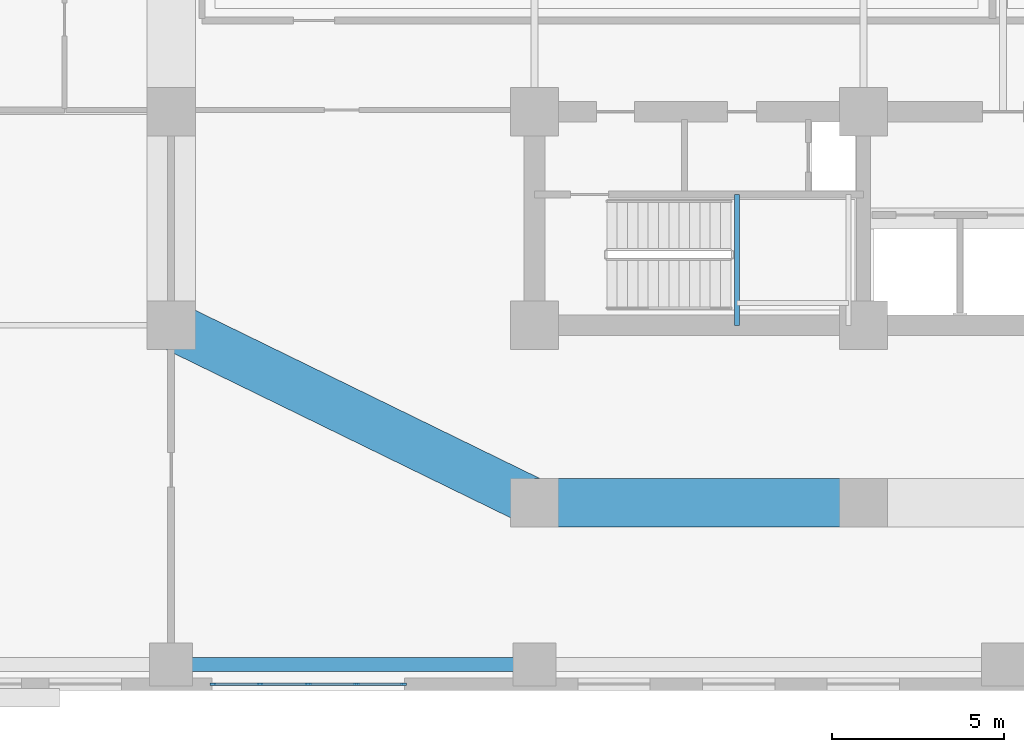
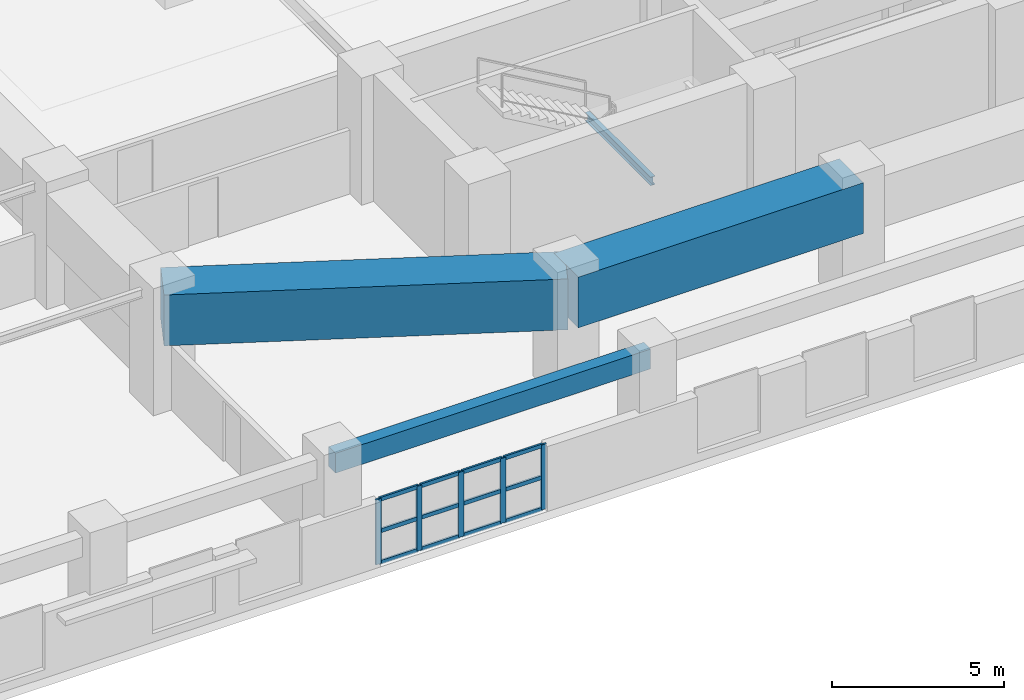
# One storey, part 2 of 13: 17 members, 4 beams, 1 element without a shape of its own.
"""IFC4 building model written with IfcOpenShell, lengths in metres."""

import ifcopenshell
import ifcopenshell.guid

model = None  # the IFC model being written
_history = None  # IfcOwnerHistory: only IFC2X3 demands one
_inside = {}  # id of a spatial element -> (the spatial element, [elements in it])
_under = {}  # id of a project, library or spatial element -> (it, [spatial elements below it])
_declared = {}  # id of a project -> (the project, [libraries it declares])
_typed = {}  # id of a type object -> (the type object, [elements of that type])
_made_of = {}  # id of a material, layer set ... -> (it, [elements and type objects made of it])


def new_model(schema):
    """Start an empty IFC model of exactly this schema.

    Asked for "IFC4X3", IfcOpenShell would pick the latest addendum, in which some entities
    have other attributes; the version numbers below select the first issue.
    IFC2X3 requires an IfcOwnerHistory on every rooted entity: one is made here for all.
    """
    global model, _history
    if schema == "IFC4X3":
        model = ifcopenshell.file(schema_version=(4, 3, 0, 0))
    else:
        model = ifcopenshell.file(schema=schema)
    _inside.clear()
    _under.clear()
    _declared.clear()
    _typed.clear()
    _made_of.clear()
    _history = None
    if model.schema == "IFC2X3":
        org = make("IfcOrganization", Name="unknown")
        user = make(
            "IfcPersonAndOrganization",
            ThePerson=make("IfcPerson", FamilyName="unknown"),
            TheOrganization=org,
        )
        app = make(
            "IfcApplication",
            ApplicationDeveloper=org,
            Version="unknown",
            ApplicationFullName="unknown",
            ApplicationIdentifier="unknown",
        )
        _history = make(
            "IfcOwnerHistory",
            OwningUser=user,
            OwningApplication=app,
            ChangeAction="ADDED",
            CreationDate=0,
        )
    return model


def make(cls, **values):
    """One entity of the class cls with the attributes given. An attribute that is None is left unset."""
    return model.create_entity(
        cls, **{name: value for name, value in values.items() if value is not None}
    )


def rooted(cls, **values):
    """An entity with a GlobalId (a new one), such as an element, a storey or a relation."""
    return make(cls, GlobalId=ifcopenshell.guid.new(), OwnerHistory=_history, **values)


def si_unit(unit_type, name, prefix=None):
    """IfcSIUnit, for example si_unit("LENGTHUNIT", "METRE", prefix="MILLI")."""
    return make("IfcSIUnit", UnitType=unit_type, Prefix=prefix, Name=name)


def assignment(units):
    """IfcUnitAssignment: the units of a project."""
    return None if units is None else make("IfcUnitAssignment", Units=units)


def point(xyz):
    """IfcCartesianPoint."""
    return None if xyz is None else make("IfcCartesianPoint", Coordinates=xyz)


def direction(xyz):
    """IfcDirection."""
    return None if xyz is None else make("IfcDirection", DirectionRatios=xyz)


def frame(location, z_axis=None, x_axis=None):
    """IfcAxis2Placement3D, a coordinate frame: its origin and axes. An axis left out is left unset."""
    return make(
        "IfcAxis2Placement3D",
        Location=point(location),
        Axis=direction(z_axis),
        RefDirection=direction(x_axis),
    )


def frame_2d(location, x_axis=None):
    """IfcAxis2Placement2D, a coordinate frame in the plane: its origin and x axis."""
    return make(
        "IfcAxis2Placement2D", Location=point(location), RefDirection=direction(x_axis)
    )


def origin():
    """The frame at (0, 0, 0) with its axes left unset."""
    return frame((0.0, 0.0, 0.0))


def origin_2d():
    """The frame at (0, 0) in the plane with its x axis left unset."""
    return frame_2d((0.0, 0.0))


def place(relative_to, where):
    """IfcLocalPlacement: puts the frame where relative to a parent placement (None: the world)."""
    return make(
        "IfcLocalPlacement", PlacementRelTo=relative_to, RelativePlacement=where
    )


def context(
    kind, dimensions, precision=None, world=None, true_north=None, identifier=None
):
    """IfcGeometricRepresentationContext, for example the 3D "Model" context."""
    return make(
        "IfcGeometricRepresentationContext",
        ContextIdentifier=identifier,
        ContextType=kind,
        CoordinateSpaceDimension=dimensions,
        Precision=precision,
        WorldCoordinateSystem=world,
        TrueNorth=true_north,
    )


def subcontext(parent, identifier, kind, view, scale=None):
    """IfcGeometricRepresentationSubContext, for example "Body" below "Model"."""
    return make(
        "IfcGeometricRepresentationSubContext",
        ContextIdentifier=identifier,
        ContextType=kind,
        ParentContext=parent,
        TargetScale=scale,
        TargetView=view,
    )


def project(units=None, contexts=None):
    """IfcProject with its units and contexts."""
    return rooted(
        "IfcProject",
        Name="project",
        RepresentationContexts=contexts,
        UnitsInContext=assignment(units),
    )


def spatial(cls, under=None, at=None, **own):
    """A site, building, storey or space (cls), placed at a placement, below another one or the project."""
    s = rooted(cls, ObjectPlacement=at, **own)
    if under is not None:
        _under.setdefault(under.id(), (under, []))[1].append(s)
    return s


def profile(cls, at=None, kind="AREA", **sizes):
    """A parametric profile (cls). Its sizes go by their IFC names, for example OverallWidth=200.0."""
    return make(cls, ProfileType=kind, Position=at, **sizes)


def rectangle(**sizes):
    """IfcRectangleProfileDef."""
    return profile("IfcRectangleProfileDef", **sizes)


def i_section(**sizes):
    """IfcIShapeProfileDef."""
    return profile("IfcIShapeProfileDef", **sizes)


def extrude(swept, where, along, depth):
    """IfcExtrudedAreaSolid: the profile swept, set in the frame where, extruded along a direction by depth."""
    return make(
        "IfcExtrudedAreaSolid",
        SweptArea=swept,
        Position=where,
        ExtrudedDirection=direction(along),
        Depth=depth,
    )


def shape(context_of_items, identifier, shape_type, items):
    """IfcShapeRepresentation: the items that make up one representation, for example the "Body"."""
    return make(
        "IfcShapeRepresentation",
        ContextOfItems=context_of_items,
        RepresentationIdentifier=identifier,
        RepresentationType=shape_type,
        Items=items,
    )


def material(Name=None, Category=None):
    """IfcMaterial."""
    return make("IfcMaterial", Name=Name, Category=Category)


def material_profile(
    of_material, cross_section, Name=None, Category=None, Priority=None
):
    """IfcMaterialProfile: a cross section and its material."""
    return make(
        "IfcMaterialProfile",
        Name=Name,
        Material=of_material,
        Profile=cross_section,
        Priority=Priority,
        Category=Category,
    )


def profile_set(profiles, Name=None, composite=None):
    """IfcMaterialProfileSet."""
    return make(
        "IfcMaterialProfileSet",
        Name=Name,
        MaterialProfiles=profiles,
        CompositeProfile=composite,
    )


def made_of(thing, what):
    """Note that an element or type object is made of a material, layer set ...; save() writes the relation."""
    if what is not None:
        _made_of.setdefault(what.id(), (what, []))[1].append(thing)
    return thing


def type_object(cls, material=None, **own):
    """A type object (cls), such as IfcWallType, which elements share."""
    return made_of(rooted(cls, **own), material)


def element(
    cls,
    number,
    at=None,
    inside=None,
    cuts=None,
    type_object=None,
    material=None,
    context=None,
    identifier="Body",
    shape_type=None,
    held_by="IfcProductDefinitionShape",
    body=None,
    shapes=None,
    **own,
):
    """One element of the class cls, such as IfcWall. Its Tag is "e" and its number.

    at: its placement. inside: the storey or other place that contains it. cuts: it is an
    opening in that element (IfcRelVoidsElement). A single representation is given by context,
    identifier, shape_type and body (its items); several are given by shapes. held_by: the class
    of the entity that holds the representations. save() writes the other relations.
    """
    e = rooted(cls, Tag="e%d" % number, ObjectPlacement=at, **own)
    if body is not None:
        shapes = [shape(context, identifier, shape_type, body)]
    if shapes is not None:
        e.Representation = make(held_by, Representations=shapes)
    if inside is not None:
        _inside.setdefault(inside.id(), (inside, []))[1].append(e)
    if cuts is not None:
        rooted(
            "IfcRelVoidsElement", RelatingBuildingElement=cuts, RelatedOpeningElement=e
        )
    if type_object is not None:
        _typed.setdefault(type_object.id(), (type_object, []))[1].append(e)
    return made_of(e, material)


def aggregate(whole, parts):
    """IfcRelAggregates: a whole, such as a stair, and the parts it consists of."""
    return rooted("IfcRelAggregates", RelatingObject=whole, RelatedObjects=parts)


def save(model, path):
    """Write the relations noted so far, then the file.

    IfcRelAggregates (storeys below a building ...), IfcRelContainedInSpatialStructure (elements
    in a storey), IfcRelDefinesByType, IfcRelAssociatesMaterial and IfcRelDeclares: one each for
    every whole, place, type object, material and project.
    """
    for whole, parts in _under.values():
        aggregate(whole, parts)
    for where, things in _inside.values():
        rooted(
            "IfcRelContainedInSpatialStructure",
            RelatedElements=things,
            RelatingStructure=where,
        )
    for kind, things in _typed.values():
        rooted("IfcRelDefinesByType", RelatedObjects=things, RelatingType=kind)
    for what, things in _made_of.values():
        rooted("IfcRelAssociatesMaterial", RelatedObjects=things, RelatingMaterial=what)
    for by, libraries in _declared.values():
        rooted("IfcRelDeclares", RelatingContext=by, RelatedDefinitions=libraries)
    model.write(path)


model = new_model("IFC4")

# Units and contexts
model_context = context("Model", 3, precision=1e-05, world=origin(), true_north=direction((0.0, 1.0)))
body_context = subcontext(model_context, "Body", "Model", "MODEL_VIEW")
ifc_project = project(units=[si_unit("LENGTHUNIT", "METRE"), si_unit("AREAUNIT", "SQUARE_METRE"), si_unit("VOLUMEUNIT", "CUBIC_METRE"), si_unit("PLANEANGLEUNIT", "RADIAN"), si_unit("MASSUNIT", "GRAM", prefix="KILO")], contexts=[model_context])

# Site, building, storey
site_placement = place(None, origin())
site = spatial("IfcSite", under=ifc_project, at=site_placement, CompositionType="ELEMENT")
building_placement = place(site_placement, origin())
building = spatial("IfcBuilding", under=site, at=building_placement, Name="Svetorya Sky Lyceum", CompositionType="ELEMENT")
storey_placement = place(building_placement, frame((0.0, 0.0, 20.10009765625)))
storey = spatial("IfcBuildingStorey", under=building, at=storey_placement, Name="L04", CompositionType="ELEMENT", Elevation=20.10009765625)

# Beams
ifc_material_1 = material(Name="Concrete C50/60", Category="concrete")
ifc_material_profile_1 = material_profile(ifc_material_1, rectangle(XDim=0.39990234375, YDim=0.699951171875, at=origin_2d()), Name="RC SPANDREL 400x700")
ifc_profile_set_1 = profile_set([ifc_material_profile_1], Name="Concrete C50/60")
beam_type_1 = type_object("IfcBeamType", Name="BM-SPN-700", PredefinedType="SPANDREL", material=ifc_profile_set_1)
beam_1_placement = place(storey_placement, frame((15.050048828125, 0.75, 3.75), z_axis=(1.0, 0.0, 0.0), x_axis=(0.0, 1.0, 0.0)))
element("IfcBeam", 1, at=beam_1_placement, inside=storey, type_object=beam_type_1, Name="L04 Podium South Spandrel 3", PredefinedType="SPANDREL", context=body_context, shape_type="SweptSolid", body=[
    extrude(rectangle(XDim=0.39990234375, YDim=0.699951171875, at=origin_2d()), origin(), (0.0, 0.0, 1.0), 10.550048828125),
])
ifc_material_2 = material(Name="Steel S355", Category="steel")
ifc_material_profile_2 = material_profile(ifc_material_2, i_section(OverallWidth=0.14990234375, OverallDepth=0.299072265625, WebThickness=0.006591796875, FlangeThickness=0.010498046875, at=origin_2d()), Name="GOST 30B2")
ifc_profile_set_2 = profile_set([ifc_material_profile_2], Name="Steel S355")
beam_type_2 = type_object("IfcBeamType", Name="BM-STL-30B2", PredefinedType="JOIST", material=ifc_profile_set_2)
beam_2_placement = place(storey_placement, frame((31.47998046875, 10.60009765625, 1.900390625), z_axis=(0.0, 1.0, 0.0), x_axis=(-1.0, 0.0, 0.0)))
element("IfcBeam", 2, at=beam_2_placement, inside=storey, type_object=beam_type_2, Name="L04 Stair ST-S Half-Landing Support Beam 6.1", PredefinedType="JOIST", context=body_context, shape_type="SweptSolid", body=[
    extrude(i_section(OverallWidth=0.14990234375, OverallDepth=0.299072265625, WebThickness=0.006591796875, FlangeThickness=0.010498046875, at=origin_2d()), origin(), (0.0, 0.0, 1.0), 3.7998046875),
])
ifc_material_3 = material(Name="Concrete C60/75", Category="concrete")
ifc_material_profile_3 = material_profile(ifc_material_3, rectangle(XDim=1.39990234375, YDim=1.800048828125, at=origin_2d()), Name="RC TRANSFER 1400x1800")
ifc_profile_set_3 = profile_set([ifc_material_profile_3], Name="Concrete C60/75")
beam_type_3 = type_object("IfcBeamType", Name="BM-TRF-2200", PredefinedType="BEAM", material=ifc_profile_set_3)
beam_3_placement = place(storey_placement, frame((25.60009765625, 5.449951171875, 3.199951171875), z_axis=(1.0, 0.0, 0.0), x_axis=(0.0, 1.0, 0.0)))
element("IfcBeam", 3, at=beam_3_placement, inside=storey, type_object=beam_type_3, Name="L04 Transfer Girder TGS-1", PredefinedType="BEAM", context=body_context, shape_type="SweptSolid", body=[
    extrude(rectangle(XDim=1.39990234375, YDim=1.800048828125, at=origin_2d()), origin(), (0.0, 0.0, 1.0), 9.5498046875),
])
beam_4_placement = place(storey_placement, frame((25.60009765625, 5.449951171875, 3.199951171875), z_axis=(-0.898641495694, 0.438683783854, 0.0), x_axis=(-0.438683783854, -0.898641495694, 0.0)))
element("IfcBeam", 4, at=beam_4_placement, inside=storey, type_object=beam_type_3, Name="L04 Corner Transfer Girder 1", PredefinedType="BEAM", context=body_context, shape_type="SweptSolid", body=[
    extrude(rectangle(XDim=1.39990234375, YDim=1.800048828125, at=origin_2d()), origin(), (0.0, 0.0, 1.0), 11.739990234375),
])

# Curtain wall, members
ifc_material_4 = material(Name="Thermally broken anodized aluminium and triple low-E glass", Category="aluminium")
curtain_wall_type = type_object("IfcCurtainWallType", Name="CW2-SCH-RIB", PredefinedType="NOTDEFINED", material=ifc_material_4)
curtain_wall_placement = place(storey_placement, origin())
curtain_wall = element("IfcCurtainWall", 5, at=curtain_wall_placement, inside=storey, type_object=curtain_wall_type, Name="L04 Lyceum Classroom Ribbon Curtain Wall 6", PredefinedType="NOTDEFINED")
ifc_material_5 = material(Name="Thermally broken anodized aluminium EN AW-6060", Category="aluminium")
ifc_material_profile_4 = material_profile(ifc_material_5, rectangle(XDim=0.06494140625, YDim=0.179931640625, at=origin_2d()), Name="ALU MULLION 65x180")
ifc_profile_set_4 = profile_set([ifc_material_profile_4], Name="Thermally broken anodized aluminium EN AW-6060")
member_type_1 = type_object("IfcMemberType", Name="CWM-MUL-180", PredefinedType="MULLION", material=ifc_profile_set_4)
member_1_placement = place(storey_placement, frame((16.262451171875, 0.179931640625, 0.0), z_axis=(0.0, 0.0, 1.0), x_axis=(0.0, 1.0, 0.0)))
member_1 = element("IfcMember", 6, at=member_1_placement, type_object=member_type_1, Name="CW-2 mullion 1", PredefinedType="MULLION", context=body_context, shape_type="SweptSolid", body=[
    extrude(rectangle(XDim=0.06494140625, YDim=0.179931640625, at=origin_2d()), origin(), (0.0, 0.0, 1.0), 2.2998046875),
])
member_2_placement = place(storey_placement, frame((17.6298828125, 0.179931640625, 0.0), z_axis=(0.0, 0.0, 1.0), x_axis=(0.0, 1.0, 0.0)))
member_2 = element("IfcMember", 7, at=member_2_placement, type_object=member_type_1, Name="CW-2 mullion 2", PredefinedType="MULLION", context=body_context, shape_type="SweptSolid", body=[
    extrude(rectangle(XDim=0.06494140625, YDim=0.179931640625, at=origin_2d()), origin(), (0.0, 0.0, 1.0), 2.2998046875),
])
member_3_placement = place(storey_placement, frame((19.030029296875, 0.179931640625, 0.0), z_axis=(0.0, 0.0, 1.0), x_axis=(0.0, 1.0, 0.0)))
member_3 = element("IfcMember", 8, at=member_3_placement, type_object=member_type_1, Name="CW-2 mullion 3", PredefinedType="MULLION", context=body_context, shape_type="SweptSolid", body=[
    extrude(rectangle(XDim=0.06494140625, YDim=0.179931640625, at=origin_2d()), origin(), (0.0, 0.0, 1.0), 2.2998046875),
])
member_4_placement = place(storey_placement, frame((20.429931640625, 0.179931640625, 0.0), z_axis=(0.0, 0.0, 1.0), x_axis=(0.0, 1.0, 0.0)))
member_4 = element("IfcMember", 9, at=member_4_placement, type_object=member_type_1, Name="CW-2 mullion 4", PredefinedType="MULLION", context=body_context, shape_type="SweptSolid", body=[
    extrude(rectangle(XDim=0.06494140625, YDim=0.179931640625, at=origin_2d()), origin(), (0.0, 0.0, 1.0), 2.2998046875),
])
member_5_placement = place(storey_placement, frame((21.797607421875, 0.179931640625, 0.0), z_axis=(0.0, 0.0, 1.0), x_axis=(0.0, 1.0, 0.0)))
member_5 = element("IfcMember", 10, at=member_5_placement, type_object=member_type_1, Name="CW-2 mullion 5", PredefinedType="MULLION", context=body_context, shape_type="SweptSolid", body=[
    extrude(rectangle(XDim=0.06494140625, YDim=0.179931640625, at=origin_2d()), origin(), (0.0, 0.0, 1.0), 2.2998046875),
])
ifc_material_profile_5 = material_profile(ifc_material_5, rectangle(XDim=0.06494140625, YDim=0.139892578125, at=origin_2d()), Name="ALU TRANSOM 65x140")
ifc_profile_set_5 = profile_set([ifc_material_profile_5], Name="Thermally broken anodized aluminium EN AW-6060")
member_type_2 = type_object("IfcMemberType", Name="CWM-TRN-140", PredefinedType="USERDEFINED", material=ifc_profile_set_5)
member_6_placement = place(storey_placement, frame((16.29345703125, 0.179931640625, 0.032470703125), z_axis=(1.0, 0.0, 0.0), x_axis=(0.0, 1.0, 0.0)))
member_6 = element("IfcMember", 11, at=member_6_placement, type_object=member_type_2, Name="CW-2 transom 1.1", ObjectType="TRANSOM", PredefinedType="USERDEFINED", context=body_context, shape_type="SweptSolid", body=[
    extrude(rectangle(XDim=0.06494140625, YDim=0.139892578125, at=origin_2d()), origin(), (0.0, 0.0, 1.0), 1.3056640625),
])
member_7_placement = place(storey_placement, frame((16.29345703125, 0.179931640625, 1.14990234375), z_axis=(1.0, 0.0, 0.0), x_axis=(0.0, 1.0, 0.0)))
member_7 = element("IfcMember", 12, at=member_7_placement, type_object=member_type_2, Name="CW-2 transom 1.2", ObjectType="TRANSOM", PredefinedType="USERDEFINED", context=body_context, shape_type="SweptSolid", body=[
    extrude(rectangle(XDim=0.06494140625, YDim=0.139892578125, at=origin_2d()), origin(), (0.0, 0.0, 1.0), 1.3056640625),
])
member_8_placement = place(storey_placement, frame((16.29345703125, 0.179931640625, 2.267333984375), z_axis=(1.0, 0.0, 0.0), x_axis=(0.0, 1.0, 0.0)))
member_8 = element("IfcMember", 13, at=member_8_placement, type_object=member_type_2, Name="CW-2 transom 1.3", ObjectType="TRANSOM", PredefinedType="USERDEFINED", context=body_context, shape_type="SweptSolid", body=[
    extrude(rectangle(XDim=0.06494140625, YDim=0.139892578125, at=origin_2d()), origin(), (0.0, 0.0, 1.0), 1.3056640625),
])
member_9_placement = place(storey_placement, frame((17.660888671875, 0.179931640625, 0.032470703125), z_axis=(1.0, 0.0, 0.0), x_axis=(0.0, 1.0, 0.0)))
member_9 = element("IfcMember", 14, at=member_9_placement, type_object=member_type_2, Name="CW-2 transom 2.1", ObjectType="TRANSOM", PredefinedType="USERDEFINED", context=body_context, shape_type="SweptSolid", body=[
    extrude(rectangle(XDim=0.06494140625, YDim=0.139892578125, at=origin_2d()), origin(), (0.0, 0.0, 1.0), 1.338134765625),
])
member_10_placement = place(storey_placement, frame((17.660888671875, 0.179931640625, 1.14990234375), z_axis=(1.0, 0.0, 0.0), x_axis=(0.0, 1.0, 0.0)))
member_10 = element("IfcMember", 15, at=member_10_placement, type_object=member_type_2, Name="CW-2 transom 2.2", ObjectType="TRANSOM", PredefinedType="USERDEFINED", context=body_context, shape_type="SweptSolid", body=[
    extrude(rectangle(XDim=0.06494140625, YDim=0.139892578125, at=origin_2d()), origin(), (0.0, 0.0, 1.0), 1.338134765625),
])
member_11_placement = place(storey_placement, frame((17.660888671875, 0.179931640625, 2.267333984375), z_axis=(1.0, 0.0, 0.0), x_axis=(0.0, 1.0, 0.0)))
member_11 = element("IfcMember", 16, at=member_11_placement, type_object=member_type_2, Name="CW-2 transom 2.3", ObjectType="TRANSOM", PredefinedType="USERDEFINED", context=body_context, shape_type="SweptSolid", body=[
    extrude(rectangle(XDim=0.06494140625, YDim=0.139892578125, at=origin_2d()), origin(), (0.0, 0.0, 1.0), 1.338134765625),
])
member_12_placement = place(storey_placement, frame((19.06103515625, 0.179931640625, 0.032470703125), z_axis=(1.0, 0.0, 0.0), x_axis=(0.0, 1.0, 0.0)))
member_12 = element("IfcMember", 17, at=member_12_placement, type_object=member_type_2, Name="CW-2 transom 3.1", ObjectType="TRANSOM", PredefinedType="USERDEFINED", context=body_context, shape_type="SweptSolid", body=[
    extrude(rectangle(XDim=0.06494140625, YDim=0.139892578125, at=origin_2d()), origin(), (0.0, 0.0, 1.0), 1.337890625),
])
member_13_placement = place(storey_placement, frame((19.06103515625, 0.179931640625, 1.14990234375), z_axis=(1.0, 0.0, 0.0), x_axis=(0.0, 1.0, 0.0)))
member_13 = element("IfcMember", 18, at=member_13_placement, type_object=member_type_2, Name="CW-2 transom 3.2", ObjectType="TRANSOM", PredefinedType="USERDEFINED", context=body_context, shape_type="SweptSolid", body=[
    extrude(rectangle(XDim=0.06494140625, YDim=0.139892578125, at=origin_2d()), origin(), (0.0, 0.0, 1.0), 1.337890625),
])
member_14_placement = place(storey_placement, frame((19.06103515625, 0.179931640625, 2.267333984375), z_axis=(1.0, 0.0, 0.0), x_axis=(0.0, 1.0, 0.0)))
member_14 = element("IfcMember", 19, at=member_14_placement, type_object=member_type_2, Name="CW-2 transom 3.3", ObjectType="TRANSOM", PredefinedType="USERDEFINED", context=body_context, shape_type="SweptSolid", body=[
    extrude(rectangle(XDim=0.06494140625, YDim=0.139892578125, at=origin_2d()), origin(), (0.0, 0.0, 1.0), 1.337890625),
])
member_15_placement = place(storey_placement, frame((20.4609375, 0.179931640625, 0.032470703125), z_axis=(1.0, 0.0, 0.0), x_axis=(0.0, 1.0, 0.0)))
member_15 = element("IfcMember", 20, at=member_15_placement, type_object=member_type_2, Name="CW-2 transom 4.1", ObjectType="TRANSOM", PredefinedType="USERDEFINED", context=body_context, shape_type="SweptSolid", body=[
    extrude(rectangle(XDim=0.06494140625, YDim=0.139892578125, at=origin_2d()), origin(), (0.0, 0.0, 1.0), 1.3056640625),
])
member_16_placement = place(storey_placement, frame((20.4609375, 0.179931640625, 1.14990234375), z_axis=(1.0, 0.0, 0.0), x_axis=(0.0, 1.0, 0.0)))
member_16 = element("IfcMember", 21, at=member_16_placement, type_object=member_type_2, Name="CW-2 transom 4.2", ObjectType="TRANSOM", PredefinedType="USERDEFINED", context=body_context, shape_type="SweptSolid", body=[
    extrude(rectangle(XDim=0.06494140625, YDim=0.139892578125, at=origin_2d()), origin(), (0.0, 0.0, 1.0), 1.3056640625),
])
member_17_placement = place(storey_placement, frame((20.4609375, 0.179931640625, 2.267333984375), z_axis=(1.0, 0.0, 0.0), x_axis=(0.0, 1.0, 0.0)))
member_17 = element("IfcMember", 22, at=member_17_placement, type_object=member_type_2, Name="CW-2 transom 4.3", ObjectType="TRANSOM", PredefinedType="USERDEFINED", context=body_context, shape_type="SweptSolid", body=[
    extrude(rectangle(XDim=0.06494140625, YDim=0.139892578125, at=origin_2d()), origin(), (0.0, 0.0, 1.0), 1.3056640625),
])
aggregate(curtain_wall, [member_1, member_2, member_3, member_4, member_5, member_6, member_7, member_8, member_9, member_10, member_11, member_12, member_13, member_14, member_15, member_16, member_17])

save(model, "model.ifc")
